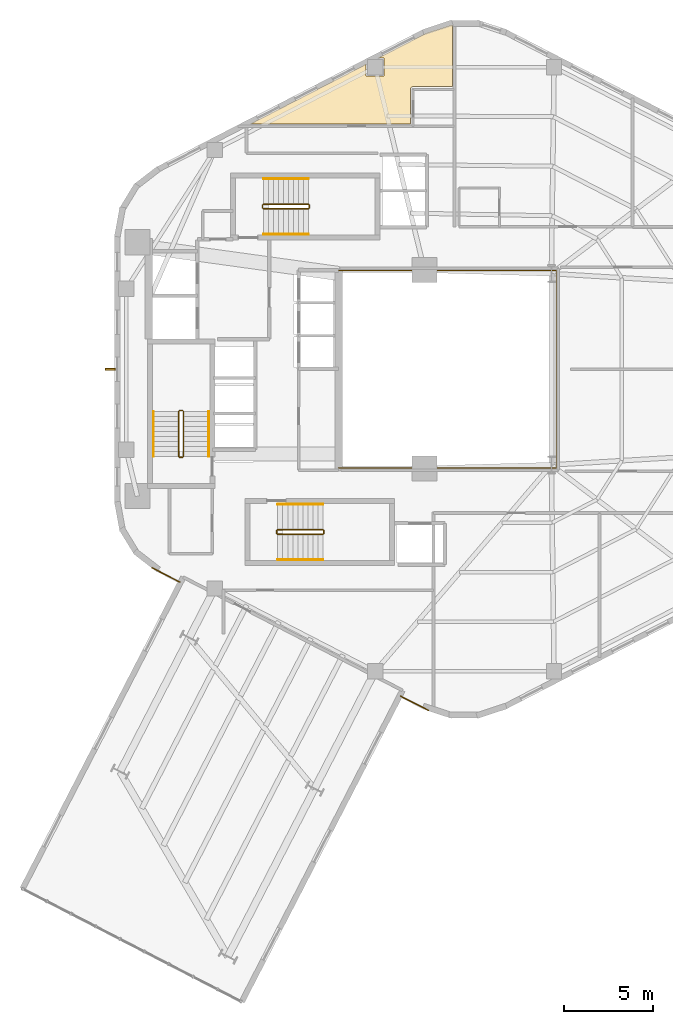
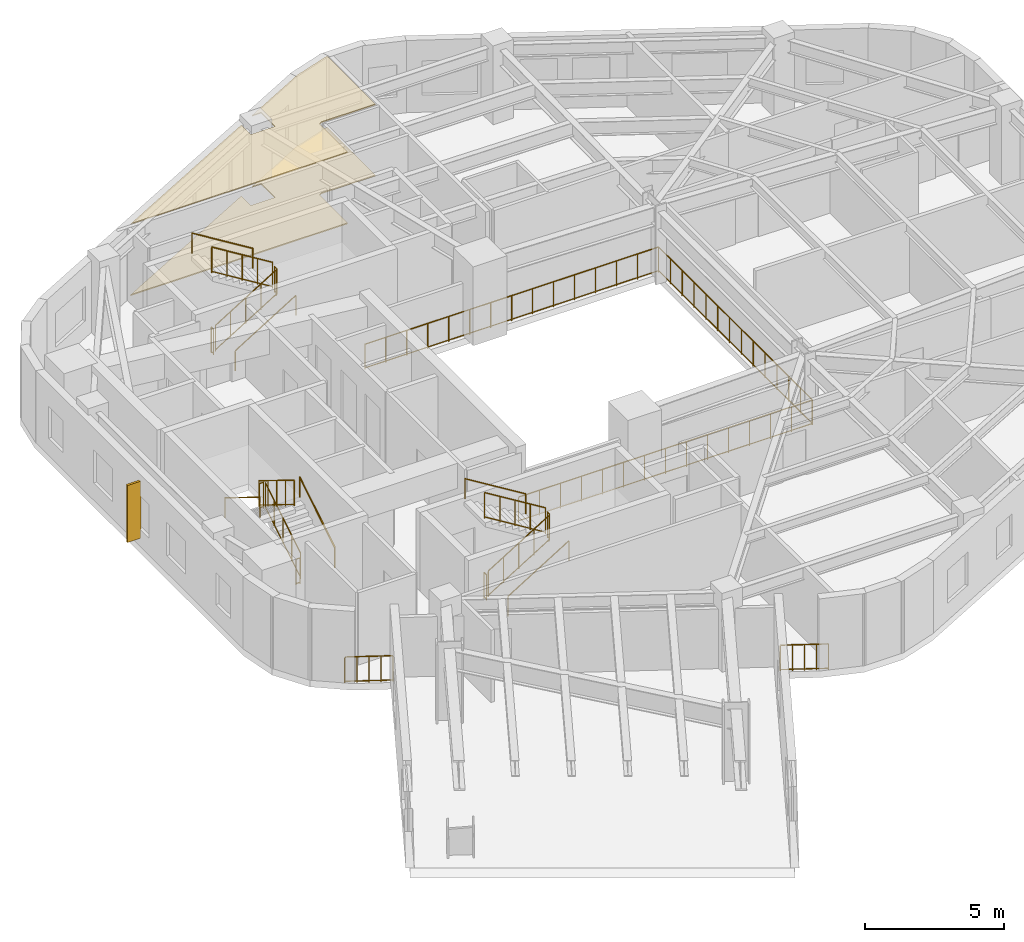
# One storey, part 9 of 9: 21 railings, 2 coverings, 1 shading device.
"""IFC4 building model written with IfcOpenShell, lengths in metres."""

from ifc_helpers import new_model, si_unit, direction, frame, origin, origin_2d, place, context, subcontext, project, spatial, polyline, rectangle, circle, outline, extrude, material, layer, layer_set, type_object, element, save


model = new_model("IFC4")

# Units and contexts
model_context = context("Model", 3, precision=1e-05, world=origin(), true_north=direction((0.0, 1.0)))
body_context = subcontext(model_context, "Body", "Model", "MODEL_VIEW")
ifc_project = project(units=[si_unit("LENGTHUNIT", "METRE"), si_unit("AREAUNIT", "SQUARE_METRE"), si_unit("VOLUMEUNIT", "CUBIC_METRE"), si_unit("PLANEANGLEUNIT", "RADIAN"), si_unit("MASSUNIT", "GRAM", prefix="KILO"), si_unit("THERMODYNAMICTEMPERATUREUNIT", "KELVIN"), si_unit("POWERUNIT", "WATT")], contexts=[model_context])

# Site, building, storey
site_placement = place(None, origin())
site = spatial("IfcSite", under=ifc_project, at=site_placement, CompositionType="ELEMENT")
building_placement = place(site_placement, origin())
building = spatial("IfcBuilding", under=site, at=building_placement, Name="Skarre Station Tower", CompositionType="ELEMENT")
storey_placement = place(building_placement, frame((0.0, 0.0, 177.449951171875)))
storey = spatial("IfcBuildingStorey", under=building, at=storey_placement, Name="L48", CompositionType="ELEMENT", Elevation=177.449951171875)

# Railing
ifc_material_1 = material(Name="Bronze Anodized Steel & Laminated Glass Balustrade", Category="steel")
railing_type_1 = type_object("IfcRailingType", Name="Atrium Void & Mezzanine Guard Balustrade 1120", PredefinedType="GUARDRAIL", material=ifc_material_1)
railing_1_placement = place(storey_placement, frame((27.550048828125, 18.47998046875, 0.0)))
element("IfcRailing", 1, at=railing_1_placement, inside=storey, type_object=railing_type_1, Name="L48 Atrium Void Guard Balustrade", PredefinedType="GUARDRAIL", context=body_context, shape_type="SweptSolid", body=[
    extrude(circle(Radius=0.02392578125, at=origin_2d()), frame((0.0, 0.0, 1.09619140625), z_axis=(1.0, 0.0, 0.0), x_axis=(0.0, 1.0, 0.0)), (0.0, 0.0, 1.0), 12.169921875),
    extrude(circle(Radius=0.02099609375, at=origin_2d()), frame((0.0, 0.0, 0.06005859375), z_axis=(1.0, 0.0, 0.0), x_axis=(0.0, 1.0, 0.0)), (0.0, 0.0, 1.0), 12.169921875),
    extrude(circle(Radius=0.02392578125, at=origin_2d()), frame((12.169921875, 0.0, 1.09619140625), z_axis=(0.0, 1.0, 0.0), x_axis=(-1.0, 0.0, 0.0)), (0.0, 0.0, 1.0), 11.0400390625),
    extrude(circle(Radius=0.02099609375, at=origin_2d()), frame((12.169921875, 0.0, 0.06005859375), z_axis=(0.0, 1.0, 0.0), x_axis=(-1.0, 0.0, 0.0)), (0.0, 0.0, 1.0), 11.0400390625),
    extrude(circle(Radius=0.02392578125, at=origin_2d()), frame((12.169921875, 11.0400390625, 1.09619140625), z_axis=(-1.0, 0.0, 0.0), x_axis=(0.0, -1.0, 0.0)), (0.0, 0.0, 1.0), 12.169921875),
    extrude(circle(Radius=0.02099609375, at=origin_2d()), frame((12.169921875, 11.0400390625, 0.06005859375), z_axis=(-1.0, 0.0, 0.0), x_axis=(0.0, -1.0, 0.0)), (0.0, 0.0, 1.0), 12.169921875),
    extrude(circle(Radius=0.02099609375, at=origin_2d()), origin(), (0.0, 0.0, 1.0), 1.072021484375),
    extrude(circle(Radius=0.02099609375, at=origin_2d()), frame((0.869384765625, 0.0, 0.0)), (0.0, 0.0, 1.0), 1.072021484375),
    extrude(circle(Radius=0.02099609375, at=origin_2d()), frame((1.738525390625, 0.0, 0.0)), (0.0, 0.0, 1.0), 1.072021484375),
    extrude(circle(Radius=0.02099609375, at=origin_2d()), frame((2.60791015625, 0.0, 0.0)), (0.0, 0.0, 1.0), 1.072021484375),
    extrude(circle(Radius=0.02099609375, at=origin_2d()), frame((3.47705078125, 0.0, 0.0)), (0.0, 0.0, 1.0), 1.072021484375),
    extrude(circle(Radius=0.02099609375, at=origin_2d()), frame((4.346435546875, 0.0, 0.0)), (0.0, 0.0, 1.0), 1.072021484375),
    extrude(circle(Radius=0.02099609375, at=origin_2d()), frame((5.215576171875, 0.0, 0.0)), (0.0, 0.0, 1.0), 1.072021484375),
    extrude(circle(Radius=0.02099609375, at=origin_2d()), frame((6.0849609375, 0.0, 0.0)), (0.0, 0.0, 1.0), 1.072021484375),
    extrude(circle(Radius=0.02099609375, at=origin_2d()), frame((6.954345703125, 0.0, 0.0)), (0.0, 0.0, 1.0), 1.072021484375),
    extrude(circle(Radius=0.02099609375, at=origin_2d()), frame((7.823486328125, 0.0, 0.0)), (0.0, 0.0, 1.0), 1.072021484375),
    extrude(circle(Radius=0.02099609375, at=origin_2d()), frame((8.69287109375, 0.0, 0.0)), (0.0, 0.0, 1.0), 1.072021484375),
    extrude(circle(Radius=0.02099609375, at=origin_2d()), frame((9.56201171875, 0.0, 0.0)), (0.0, 0.0, 1.0), 1.072021484375),
    extrude(circle(Radius=0.02099609375, at=origin_2d()), frame((10.431396484375, 0.0, 0.0)), (0.0, 0.0, 1.0), 1.072021484375),
    extrude(circle(Radius=0.02099609375, at=origin_2d()), frame((11.300537109375, 0.0, 0.0)), (0.0, 0.0, 1.0), 1.072021484375),
    extrude(circle(Radius=0.02099609375, at=origin_2d()), frame((12.169921875, 0.0, 0.0)), (0.0, 0.0, 1.0), 1.072021484375),
    extrude(circle(Radius=0.02099609375, at=origin_2d()), frame((12.169921875, 0.84912109375, 0.0)), (0.0, 0.0, 1.0), 1.072021484375),
    extrude(circle(Radius=0.02099609375, at=origin_2d()), frame((12.169921875, 1.698486328125, 0.0)), (0.0, 0.0, 1.0), 1.072021484375),
    extrude(circle(Radius=0.02099609375, at=origin_2d()), frame((12.169921875, 2.547607421875, 0.0)), (0.0, 0.0, 1.0), 1.072021484375),
    extrude(circle(Radius=0.02099609375, at=origin_2d()), frame((12.169921875, 3.39697265625, 0.0)), (0.0, 0.0, 1.0), 1.072021484375),
    extrude(circle(Radius=0.02099609375, at=origin_2d()), frame((12.169921875, 4.24609375, 0.0)), (0.0, 0.0, 1.0), 1.072021484375),
    extrude(circle(Radius=0.02099609375, at=origin_2d()), frame((12.169921875, 5.095458984375, 0.0)), (0.0, 0.0, 1.0), 1.072021484375),
    extrude(circle(Radius=0.02099609375, at=origin_2d()), frame((12.169921875, 5.944580078125, 0.0)), (0.0, 0.0, 1.0), 1.072021484375),
    extrude(circle(Radius=0.02099609375, at=origin_2d()), frame((12.169921875, 6.7939453125, 0.0)), (0.0, 0.0, 1.0), 1.072021484375),
    extrude(circle(Radius=0.02099609375, at=origin_2d()), frame((12.169921875, 7.64306640625, 0.0)), (0.0, 0.0, 1.0), 1.072021484375),
    extrude(circle(Radius=0.02099609375, at=origin_2d()), frame((12.169921875, 8.492431640625, 0.0)), (0.0, 0.0, 1.0), 1.072021484375),
    extrude(circle(Radius=0.02099609375, at=origin_2d()), frame((12.169921875, 9.341552734375, 0.0)), (0.0, 0.0, 1.0), 1.072021484375),
    extrude(circle(Radius=0.02099609375, at=origin_2d()), frame((12.169921875, 10.19091796875, 0.0)), (0.0, 0.0, 1.0), 1.072021484375),
    extrude(circle(Radius=0.02099609375, at=origin_2d()), frame((12.169921875, 11.0400390625, 0.0)), (0.0, 0.0, 1.0), 1.072021484375),
    extrude(circle(Radius=0.02099609375, at=origin_2d()), frame((11.300537109375, 11.0400390625, 0.0)), (0.0, 0.0, 1.0), 1.072021484375),
    extrude(circle(Radius=0.02099609375, at=origin_2d()), frame((10.431396484375, 11.0400390625, 0.0)), (0.0, 0.0, 1.0), 1.072021484375),
    extrude(circle(Radius=0.02099609375, at=origin_2d()), frame((9.56201171875, 11.0400390625, 0.0)), (0.0, 0.0, 1.0), 1.072021484375),
    extrude(circle(Radius=0.02099609375, at=origin_2d()), frame((8.69287109375, 11.0400390625, 0.0)), (0.0, 0.0, 1.0), 1.072021484375),
    extrude(circle(Radius=0.02099609375, at=origin_2d()), frame((7.823486328125, 11.0400390625, 0.0)), (0.0, 0.0, 1.0), 1.072021484375),
    extrude(circle(Radius=0.02099609375, at=origin_2d()), frame((6.954345703125, 11.0400390625, 0.0)), (0.0, 0.0, 1.0), 1.072021484375),
    extrude(circle(Radius=0.02099609375, at=origin_2d()), frame((6.0849609375, 11.0400390625, 0.0)), (0.0, 0.0, 1.0), 1.072021484375),
    extrude(circle(Radius=0.02099609375, at=origin_2d()), frame((5.215576171875, 11.0400390625, 0.0)), (0.0, 0.0, 1.0), 1.072021484375),
    extrude(circle(Radius=0.02099609375, at=origin_2d()), frame((4.346435546875, 11.0400390625, 0.0)), (0.0, 0.0, 1.0), 1.072021484375),
    extrude(circle(Radius=0.02099609375, at=origin_2d()), frame((3.47705078125, 11.0400390625, 0.0)), (0.0, 0.0, 1.0), 1.072021484375),
    extrude(circle(Radius=0.02099609375, at=origin_2d()), frame((2.60791015625, 11.0400390625, 0.0)), (0.0, 0.0, 1.0), 1.072021484375),
    extrude(circle(Radius=0.02099609375, at=origin_2d()), frame((1.738525390625, 11.0400390625, 0.0)), (0.0, 0.0, 1.0), 1.072021484375),
    extrude(circle(Radius=0.02099609375, at=origin_2d()), frame((0.869384765625, 11.0400390625, 0.0)), (0.0, 0.0, 1.0), 1.072021484375),
    extrude(circle(Radius=0.02099609375, at=origin_2d()), frame((0.0, 11.0400390625, 0.0)), (0.0, 0.0, 1.0), 1.072021484375),
])

# Covering
ifc_material_2 = material(Name="Honed Jura Limestone & Calcium-Sulfate Access Tile", Category="masonry")
ifc_layer_1 = layer(ifc_material_2, 0.050048828125, Name="Honed Jura Limestone & Calcium-Sulfate Access Tile")
ifc_layer_set_1 = layer_set([ifc_layer_1], Name="Honed Jura Limestone & Calcium-Sulfate Access Tile")
covering_type_1 = type_object("IfcCoveringType", Name="Honed Limestone & Raised Access Floor Finish 50", PredefinedType="FLOORING", material=ifc_layer_set_1)
covering_1_placement = place(storey_placement, origin())
element("IfcCovering", 2, at=covering_1_placement, inside=storey, type_object=covering_type_1, Name="L48 Limestone Access Flooring 1", PredefinedType="FLOORING", context=body_context, shape_type="SweptSolid", body=[
    extrude(outline(polyline([(33.919921875, 39.800048828125), (33.919921875, 43.24609375), (33.845947265625, 43.24609375), (32.39208984375, 42.76806640625), (29.72705078125, 41.39306640625), (30.10302734375, 41.39306640625), (30.10302734375, 40.383056640625), (29.093017578125, 40.383056640625), (29.093017578125, 41.06591796875), (22.571044921875, 37.699951171875), (31.56005859375, 37.699951171875), (31.56005859375, 39.639892578125), (31.56005859375, 39.64404296875), (31.56005859375, 39.652099609375), (31.56103515625, 39.659912109375), (31.56201171875, 39.6669921875), (31.56396484375, 39.675048828125), (31.56591796875, 39.68310546875), (31.568115234375, 39.68994140625), (31.571044921875, 39.697998046875), (31.573974609375, 39.705078125), (31.576904296875, 39.7119140625), (31.5810546875, 39.718994140625), (31.5849609375, 39.72607421875), (31.589111328125, 39.73193359375), (31.593994140625, 39.738037109375), (31.59912109375, 39.743896484375), (31.60400390625, 39.75), (31.610107421875, 39.756103515625), (31.615966796875, 39.760986328125), (31.6220703125, 39.76611328125), (31.6279296875, 39.77099609375), (31.634033203125, 39.77490234375), (31.64111328125, 39.779052734375), (31.64794921875, 39.782958984375), (31.655029296875, 39.785888671875), (31.662109375, 39.7890625), (31.669921875, 39.7919921875), (31.677001953125, 39.7939453125), (31.68505859375, 39.7958984375), (31.693115234375, 39.798095703125), (31.699951171875, 39.799072265625), (31.7080078125, 39.800048828125), (31.716064453125, 39.800048828125), (31.719970703125, 39.800048828125), (33.919921875, 39.800048828125)])), origin(), (0.0, 0.0, 1.0), 0.050048828125),
])

# Railings
ifc_material_3 = material(Name="Stainless Steel Grade 316L & Laminated Safety Glass", Category="steel")
railing_type_2 = type_object("IfcRailingType", Name="Laminated Glass & Stainless Terrace Guardrail 1150", PredefinedType="BALUSTRADE", material=ifc_material_3)
for number, where, name in (
    (3, (18.666015625, 12.10205078125, 0.0), "L48 SB-4 Shoulder Ledge Guardrail 1"),
    (4, (32.56689453125, 4.927001953125, 0.0), "L48 SB-4 Shoulder Ledge Guardrail 2"),
):
    element("IfcRailing", number, at=place(storey_placement, frame(where)), inside=storey, type_object=railing_type_2, Name=name, PredefinedType="BALUSTRADE", context=body_context, shape_type="SweptSolid", body=[
        extrude(circle(Radius=0.02392578125, at=origin_2d()), frame((0.0, 0.0, 1.1259765625), z_axis=(-0.888724295859, 0.458442063897, 0.0), x_axis=(-0.458442063897, -0.888724295859, 0.0)), (0.0, 0.0, 1.0), 1.73388671875),
        extrude(circle(Radius=0.02099609375, at=origin_2d()), frame((0.0, 0.0, 0.06005859375), z_axis=(-0.888724295859, 0.458442063897, 0.0), x_axis=(-0.458442063897, -0.888724295859, 0.0)), (0.0, 0.0, 1.0), 1.73388671875),
        extrude(circle(Radius=0.02099609375, at=origin_2d()), origin(), (0.0, 0.0, 1.0), 1.101806640625),
        extrude(circle(Radius=0.02099609375, at=origin_2d()), frame((-0.38525390625, 0.19873046875, 0.0)), (0.0, 0.0, 1.0), 1.101806640625),
        extrude(circle(Radius=0.02099609375, at=origin_2d()), frame((-0.7705078125, 0.3974609375, 0.0)), (0.0, 0.0, 1.0), 1.101806640625),
        extrude(circle(Radius=0.02099609375, at=origin_2d()), frame((-1.15576171875, 0.59619140625, 0.0)), (0.0, 0.0, 1.0), 1.101806640625),
        extrude(circle(Radius=0.02099609375, at=origin_2d()), frame((-1.541015625, 0.794921875, 0.0)), (0.0, 0.0, 1.0), 1.101806640625),
    ])

# Covering
ifc_material_4 = material(Name="Perforated Nordic Birch Veneer & Mineral Wool", Category="wood")
ifc_layer_2 = layer(ifc_material_4, 0.044921875, Name="Perforated Nordic Birch Veneer & Mineral Wool")
ifc_layer_set_2 = layer_set([ifc_layer_2], Name="Perforated Nordic Birch Veneer & Mineral Wool")
covering_type_2 = type_object("IfcCoveringType", Name="Nordic Birch Slatted Acoustic Suspended Ceiling 45", PredefinedType="CEILING", material=ifc_layer_set_2)
covering_2_placement = place(storey_placement, frame((0.0, 0.0, 3.114990234375)))
element("IfcCovering", 5, at=covering_2_placement, inside=storey, type_object=covering_type_2, Name="L48 Acoustic Birch Ceiling 1", PredefinedType="CEILING", context=body_context, shape_type="SweptSolid", body=[
    extrude(outline(polyline([(33.919921875, 39.800048828125), (33.919921875, 43.24609375), (33.845947265625, 43.24609375), (32.39208984375, 42.76806640625), (29.72705078125, 41.39306640625), (30.10302734375, 41.39306640625), (30.10302734375, 40.383056640625), (29.093017578125, 40.383056640625), (29.093017578125, 41.06591796875), (22.571044921875, 37.699951171875), (31.56005859375, 37.699951171875), (31.56005859375, 39.639892578125), (31.56005859375, 39.64404296875), (31.56005859375, 39.652099609375), (31.56103515625, 39.659912109375), (31.56201171875, 39.6669921875), (31.56396484375, 39.675048828125), (31.56591796875, 39.68310546875), (31.568115234375, 39.68994140625), (31.571044921875, 39.697998046875), (31.573974609375, 39.705078125), (31.576904296875, 39.7119140625), (31.5810546875, 39.718994140625), (31.5849609375, 39.72607421875), (31.589111328125, 39.73193359375), (31.593994140625, 39.738037109375), (31.59912109375, 39.743896484375), (31.60400390625, 39.75), (31.610107421875, 39.756103515625), (31.615966796875, 39.760986328125), (31.6220703125, 39.76611328125), (31.6279296875, 39.77099609375), (31.634033203125, 39.77490234375), (31.64111328125, 39.779052734375), (31.64794921875, 39.782958984375), (31.655029296875, 39.785888671875), (31.662109375, 39.7890625), (31.669921875, 39.7919921875), (31.677001953125, 39.7939453125), (31.68505859375, 39.7958984375), (31.693115234375, 39.798095703125), (31.699951171875, 39.799072265625), (31.7080078125, 39.800048828125), (31.716064453125, 39.800048828125), (31.719970703125, 39.800048828125), (33.919921875, 39.800048828125)])), origin(), (0.0, 0.0, 1.0), 0.045166015625),
])

# Shading device
ifc_material_5 = material(Name="Bronze Anodized Extruded Aluminium 6063-T6", Category="aluminium")
shading_device_type = type_object("IfcShadingDeviceType", Name="Nordic Bronze Vertical Solar Fin 550x90", PredefinedType="SHUTTER", material=ifc_material_5)
shading_device_placement = place(storey_placement, frame((14.778076171875, 24.0, 0.35009765625), z_axis=(0.0, 0.0, 1.0), x_axis=(-1.0, 0.0, 0.0)))
element("IfcShadingDevice", 6, at=shading_device_placement, inside=storey, type_object=shading_device_type, Name="L48 Facet 2 Bronze Solar Fin", PredefinedType="SHUTTER", context=body_context, shape_type="SweptSolid", body=[
    extrude(rectangle(XDim=0.550048828125, YDim=0.090087890625, at=origin_2d()), origin(), (0.0, 0.0, 1.0), 2.5),
])

# Railings
ifc_material_6 = material(Name="Powder-Coated Tubular Steel", Category="steel")
railing_type_3 = type_object("IfcRailingType", Name="Painted Steel Ramp & Stair Handrail 920", PredefinedType="HANDRAIL", material=ifc_material_6)
railing_2_placement = place(storey_placement, frame((20.300048828125, 19.1201171875, 0.172607421875)))
element("IfcRailing", 7, at=railing_2_placement, inside=storey, type_object=railing_type_3, Name="L48 ST-1 stair handrail 1", PredefinedType="HANDRAIL", context=body_context, shape_type="SweptSolid", body=[
    extrude(circle(Radius=0.02392578125, at=origin_2d()), frame((0.0, 0.0, 0.8759765625), z_axis=(0.0, 0.851377800117, 0.52455299205), x_axis=(-1.0, 0.0, 0.0)), (0.0, 0.0, 1.0), 2.959716796875),
    extrude(circle(Radius=0.02099609375, at=origin_2d()), origin(), (0.0, 0.0, 1.0), 0.851806640625),
    extrude(circle(Radius=0.02099609375, at=origin_2d()), frame((0.0, 2.519775390625, 1.552490234375)), (0.0, 0.0, 1.0), 0.851806640625),
])
railing_3_placement = place(storey_placement, frame((17.199951171875, 21.639892578125, 1.8974609375)))
element("IfcRailing", 8, at=railing_3_placement, inside=storey, type_object=railing_type_3, Name="L48 ST-1 stair handrail 2", PredefinedType="HANDRAIL", context=body_context, shape_type="SweptSolid", body=[
    extrude(circle(Radius=0.02392578125, at=origin_2d()), frame((0.0, 0.0, 0.8759765625), z_axis=(0.0, -0.851377800117, 0.52455299205), x_axis=(1.0, 0.0, 0.0)), (0.0, 0.0, 1.0), 2.959716796875),
    extrude(circle(Radius=0.02099609375, at=origin_2d()), origin(), (0.0, 0.0, 1.0), 0.851806640625),
    extrude(circle(Radius=0.02099609375, at=origin_2d()), frame((0.0, -2.519775390625, 1.552490234375)), (0.0, 0.0, 1.0), 0.851806640625),
])
railing_4_placement = place(storey_placement, frame((24.14990234375, 13.35009765625, 0.172607421875)))
element("IfcRailing", 9, at=railing_4_placement, inside=storey, type_object=railing_type_3, Name="L48 ST-2 stair handrail 1", PredefinedType="HANDRAIL", context=body_context, shape_type="SweptSolid", body=[
    extrude(circle(Radius=0.02392578125, at=origin_2d()), frame((0.0, 0.0, 0.8759765625), z_axis=(0.851400495292, 0.0, 0.524516154772), x_axis=(0.0, 1.0, 0.0)), (0.0, 0.0, 1.0), 2.9599609375),
    extrude(circle(Radius=0.02099609375, at=origin_2d()), origin(), (0.0, 0.0, 1.0), 0.851806640625),
    extrude(circle(Radius=0.02099609375, at=origin_2d()), frame((2.52001953125, 0.0, 1.552490234375)), (0.0, 0.0, 1.0), 0.851806640625),
])
railing_5_placement = place(storey_placement, frame((26.669921875, 16.449951171875, 1.8974609375)))
element("IfcRailing", 10, at=railing_5_placement, inside=storey, type_object=railing_type_3, Name="L48 ST-2 stair handrail 2", PredefinedType="HANDRAIL", context=body_context, shape_type="SweptSolid", body=[
    extrude(circle(Radius=0.02392578125, at=origin_2d()), frame((0.0, 0.0, 0.8759765625), z_axis=(-0.851400495292, 0.0, 0.524516154772), x_axis=(0.0, -1.0, 0.0)), (0.0, 0.0, 1.0), 2.9599609375),
    extrude(circle(Radius=0.02099609375, at=origin_2d()), origin(), (0.0, 0.0, 1.0), 0.851806640625),
    extrude(circle(Radius=0.02099609375, at=origin_2d()), frame((-2.52001953125, 0.0, 1.552490234375)), (0.0, 0.0, 1.0), 0.851806640625),
])
railing_6_placement = place(storey_placement, frame((23.35009765625, 31.550048828125, 0.172607421875)))
element("IfcRailing", 11, at=railing_6_placement, inside=storey, type_object=railing_type_3, Name="L48 ST-3 stair handrail 1", PredefinedType="HANDRAIL", context=body_context, shape_type="SweptSolid", body=[
    extrude(circle(Radius=0.02392578125, at=origin_2d()), frame((0.0, 0.0, 0.8759765625), z_axis=(0.851400495292, 0.0, 0.524516154772), x_axis=(0.0, 1.0, 0.0)), (0.0, 0.0, 1.0), 2.9599609375),
    extrude(circle(Radius=0.02099609375, at=origin_2d()), origin(), (0.0, 0.0, 1.0), 0.851806640625),
    extrude(circle(Radius=0.02099609375, at=origin_2d()), frame((2.52001953125, 0.0, 1.552490234375)), (0.0, 0.0, 1.0), 0.851806640625),
])
railing_7_placement = place(storey_placement, frame((25.8701171875, 34.64990234375, 1.8974609375)))
element("IfcRailing", 12, at=railing_7_placement, inside=storey, type_object=railing_type_3, Name="L48 ST-3 stair handrail 2", PredefinedType="HANDRAIL", context=body_context, shape_type="SweptSolid", body=[
    extrude(circle(Radius=0.02392578125, at=origin_2d()), frame((0.0, 0.0, 0.8759765625), z_axis=(-0.851400495292, 0.0, 0.524516154772), x_axis=(0.0, -1.0, 0.0)), (0.0, 0.0, 1.0), 2.9599609375),
    extrude(circle(Radius=0.02099609375, at=origin_2d()), origin(), (0.0, 0.0, 1.0), 0.851806640625),
    extrude(circle(Radius=0.02099609375, at=origin_2d()), frame((-2.52001953125, 0.0, 1.552490234375)), (0.0, 0.0, 1.0), 0.851806640625),
])
railing_type_4 = type_object("IfcRailingType", Name="Painted Steel Stairwell Guardrail 1100", PredefinedType="GUARDRAIL", material=ifc_material_6)
railing_8_placement = place(storey_placement, frame((18.8798828125, 19.1201171875, 0.172607421875)))
element("IfcRailing", 13, at=railing_8_placement, inside=storey, type_object=railing_type_4, Name="L48 ST-1 stair guard 1", PredefinedType="GUARDRAIL", context=body_context, shape_type="SweptSolid", body=[
    extrude(circle(Radius=0.02392578125, at=origin_2d()), frame((0.0, 0.0, 1.1259765625), z_axis=(0.0, 0.851377800117, 0.52455299205), x_axis=(-1.0, 0.0, 0.0)), (0.0, 0.0, 1.0), 2.959716796875),
    extrude(circle(Radius=0.02099609375, at=origin_2d()), frame((0.0, 0.0, 0.06005859375), z_axis=(0.0, 0.851377800117, 0.52455299205), x_axis=(-1.0, 0.0, 0.0)), (0.0, 0.0, 1.0), 2.959716796875),
    extrude(circle(Radius=0.02099609375, at=origin_2d()), origin(), (0.0, 0.0, 1.0), 1.101806640625),
    extrude(circle(Radius=0.02099609375, at=origin_2d()), frame((0.0, 0.6298828125, 0.38818359375)), (0.0, 0.0, 1.0), 1.101806640625),
    extrude(circle(Radius=0.02099609375, at=origin_2d()), frame((0.0, 1.259765625, 0.7763671875)), (0.0, 0.0, 1.0), 1.101806640625),
    extrude(circle(Radius=0.02099609375, at=origin_2d()), frame((0.0, 1.889892578125, 1.164306640625)), (0.0, 0.0, 1.0), 1.101806640625),
    extrude(circle(Radius=0.02099609375, at=origin_2d()), frame((0.0, 2.519775390625, 1.552490234375)), (0.0, 0.0, 1.0), 1.101806640625),
])
railing_9_placement = place(storey_placement, frame((18.830078125, 21.68994140625, 1.72509765625)))
element("IfcRailing", 14, at=railing_9_placement, inside=storey, type_object=railing_type_4, Name="L48 ST-1 stair guard 2", PredefinedType="GUARDRAIL", context=body_context, shape_type="SweptSolid", body=[
    extrude(circle(Radius=0.02392578125, at=origin_2d()), frame((0.0, 0.0, 1.1259765625), z_axis=(-1.0, 0.0, 0.0), x_axis=(0.0, -1.0, 0.0)), (0.0, 0.0, 1.0), 0.16015625),
    extrude(circle(Radius=0.02099609375, at=origin_2d()), frame((0.0, 0.0, 0.06005859375), z_axis=(-1.0, 0.0, 0.0), x_axis=(0.0, -1.0, 0.0)), (0.0, 0.0, 1.0), 0.16015625),
    extrude(circle(Radius=0.02099609375, at=origin_2d()), origin(), (0.0, 0.0, 1.0), 1.101806640625),
    extrude(circle(Radius=0.02099609375, at=origin_2d()), frame((-0.16015625, 0.0, 0.0)), (0.0, 0.0, 1.0), 1.101806640625),
])
railing_10_placement = place(storey_placement, frame((18.6201171875, 21.639892578125, 1.8974609375)))
element("IfcRailing", 15, at=railing_10_placement, inside=storey, type_object=railing_type_4, Name="L48 ST-1 stair guard 3", PredefinedType="GUARDRAIL", context=body_context, shape_type="SweptSolid", body=[
    extrude(circle(Radius=0.02392578125, at=origin_2d()), frame((0.0, 0.0, 1.1259765625), z_axis=(0.0, -0.851377800117, 0.52455299205), x_axis=(1.0, 0.0, 0.0)), (0.0, 0.0, 1.0), 2.959716796875),
    extrude(circle(Radius=0.02099609375, at=origin_2d()), frame((0.0, 0.0, 0.06005859375), z_axis=(0.0, -0.851377800117, 0.52455299205), x_axis=(1.0, 0.0, 0.0)), (0.0, 0.0, 1.0), 2.959716796875),
    extrude(circle(Radius=0.02099609375, at=origin_2d()), origin(), (0.0, 0.0, 1.0), 1.101806640625),
    extrude(circle(Radius=0.02099609375, at=origin_2d()), frame((0.0, -0.6298828125, 0.38818359375)), (0.0, 0.0, 1.0), 1.101806640625),
    extrude(circle(Radius=0.02099609375, at=origin_2d()), frame((0.0, -1.259765625, 0.7763671875)), (0.0, 0.0, 1.0), 1.101806640625),
    extrude(circle(Radius=0.02099609375, at=origin_2d()), frame((0.0, -1.889892578125, 1.164306640625)), (0.0, 0.0, 1.0), 1.101806640625),
    extrude(circle(Radius=0.02099609375, at=origin_2d()), frame((0.0, -2.519775390625, 1.552490234375)), (0.0, 0.0, 1.0), 1.101806640625),
])
railing_11_placement = place(storey_placement, frame((18.830078125, 19.070068359375, 0.0)))
element("IfcRailing", 16, at=railing_11_placement, inside=storey, type_object=railing_type_4, Name="L48 ST-1 stair guard 4", PredefinedType="GUARDRAIL", context=body_context, shape_type="SweptSolid", body=[
    extrude(circle(Radius=0.02392578125, at=origin_2d()), frame((0.0, 0.0, 1.1259765625), z_axis=(-1.0, 0.0, 0.0), x_axis=(0.0, -1.0, 0.0)), (0.0, 0.0, 1.0), 0.16015625),
    extrude(circle(Radius=0.02099609375, at=origin_2d()), frame((0.0, 0.0, 0.06005859375), z_axis=(-1.0, 0.0, 0.0), x_axis=(0.0, -1.0, 0.0)), (0.0, 0.0, 1.0), 0.16015625),
    extrude(circle(Radius=0.02099609375, at=origin_2d()), origin(), (0.0, 0.0, 1.0), 1.101806640625),
    extrude(circle(Radius=0.02099609375, at=origin_2d()), frame((-0.16015625, 0.0, 0.0)), (0.0, 0.0, 1.0), 1.101806640625),
])
railing_12_placement = place(storey_placement, frame((24.14990234375, 14.77001953125, 0.172607421875)))
element("IfcRailing", 17, at=railing_12_placement, inside=storey, type_object=railing_type_4, Name="L48 ST-2 stair guard 1", PredefinedType="GUARDRAIL", context=body_context, shape_type="SweptSolid", body=[
    extrude(circle(Radius=0.02392578125, at=origin_2d()), frame((0.0, 0.0, 1.1259765625), z_axis=(0.851400495292, 0.0, 0.524516154772), x_axis=(0.0, 1.0, 0.0)), (0.0, 0.0, 1.0), 2.9599609375),
    extrude(circle(Radius=0.02099609375, at=origin_2d()), frame((0.0, 0.0, 0.06005859375), z_axis=(0.851400495292, 0.0, 0.524516154772), x_axis=(0.0, 1.0, 0.0)), (0.0, 0.0, 1.0), 2.9599609375),
    extrude(circle(Radius=0.02099609375, at=origin_2d()), origin(), (0.0, 0.0, 1.0), 1.101806640625),
    extrude(circle(Radius=0.02099609375, at=origin_2d()), frame((0.6298828125, 0.0, 0.38818359375)), (0.0, 0.0, 1.0), 1.101806640625),
    extrude(circle(Radius=0.02099609375, at=origin_2d()), frame((1.260009765625, 0.0, 0.7763671875)), (0.0, 0.0, 1.0), 1.101806640625),
    extrude(circle(Radius=0.02099609375, at=origin_2d()), frame((1.89013671875, 0.0, 1.164306640625)), (0.0, 0.0, 1.0), 1.101806640625),
    extrude(circle(Radius=0.02099609375, at=origin_2d()), frame((2.52001953125, 0.0, 1.552490234375)), (0.0, 0.0, 1.0), 1.101806640625),
])
railing_13_placement = place(storey_placement, frame((26.719970703125, 14.820068359375, 1.72509765625)))
element("IfcRailing", 18, at=railing_13_placement, inside=storey, type_object=railing_type_4, Name="L48 ST-2 stair guard 2", PredefinedType="GUARDRAIL", context=body_context, shape_type="SweptSolid", body=[
    extrude(circle(Radius=0.02392578125, at=origin_2d()), frame((0.0, 0.0, 1.1259765625), z_axis=(0.0, 1.0, 0.0), x_axis=(-1.0, 0.0, 0.0)), (0.0, 0.0, 1.0), 0.159912109375),
    extrude(circle(Radius=0.02099609375, at=origin_2d()), frame((0.0, 0.0, 0.06005859375), z_axis=(0.0, 1.0, 0.0), x_axis=(-1.0, 0.0, 0.0)), (0.0, 0.0, 1.0), 0.159912109375),
    extrude(circle(Radius=0.02099609375, at=origin_2d()), origin(), (0.0, 0.0, 1.0), 1.101806640625),
    extrude(circle(Radius=0.02099609375, at=origin_2d()), frame((0.0, 0.159912109375, 0.0)), (0.0, 0.0, 1.0), 1.101806640625),
])
railing_14_placement = place(storey_placement, frame((26.669921875, 15.030029296875, 1.8974609375)))
element("IfcRailing", 19, at=railing_14_placement, inside=storey, type_object=railing_type_4, Name="L48 ST-2 stair guard 3", PredefinedType="GUARDRAIL", context=body_context, shape_type="SweptSolid", body=[
    extrude(circle(Radius=0.02392578125, at=origin_2d()), frame((0.0, 0.0, 1.1259765625), z_axis=(-0.851400495292, 0.0, 0.524516154772), x_axis=(0.0, -1.0, 0.0)), (0.0, 0.0, 1.0), 2.9599609375),
    extrude(circle(Radius=0.02099609375, at=origin_2d()), frame((0.0, 0.0, 0.06005859375), z_axis=(-0.851400495292, 0.0, 0.524516154772), x_axis=(0.0, -1.0, 0.0)), (0.0, 0.0, 1.0), 2.9599609375),
    extrude(circle(Radius=0.02099609375, at=origin_2d()), origin(), (0.0, 0.0, 1.0), 1.101806640625),
    extrude(circle(Radius=0.02099609375, at=origin_2d()), frame((-0.6298828125, 0.0, 0.38818359375)), (0.0, 0.0, 1.0), 1.101806640625),
    extrude(circle(Radius=0.02099609375, at=origin_2d()), frame((-1.260009765625, 0.0, 0.7763671875)), (0.0, 0.0, 1.0), 1.101806640625),
    extrude(circle(Radius=0.02099609375, at=origin_2d()), frame((-1.89013671875, 0.0, 1.164306640625)), (0.0, 0.0, 1.0), 1.101806640625),
    extrude(circle(Radius=0.02099609375, at=origin_2d()), frame((-2.52001953125, 0.0, 1.552490234375)), (0.0, 0.0, 1.0), 1.101806640625),
])
railing_15_placement = place(storey_placement, frame((24.10009765625, 14.820068359375, 0.0)))
element("IfcRailing", 20, at=railing_15_placement, inside=storey, type_object=railing_type_4, Name="L48 ST-2 stair guard 4", PredefinedType="GUARDRAIL", context=body_context, shape_type="SweptSolid", body=[
    extrude(circle(Radius=0.02392578125, at=origin_2d()), frame((0.0, 0.0, 1.1259765625), z_axis=(0.0, 1.0, 0.0), x_axis=(-1.0, 0.0, 0.0)), (0.0, 0.0, 1.0), 0.159912109375),
    extrude(circle(Radius=0.02099609375, at=origin_2d()), frame((0.0, 0.0, 0.06005859375), z_axis=(0.0, 1.0, 0.0), x_axis=(-1.0, 0.0, 0.0)), (0.0, 0.0, 1.0), 0.159912109375),
    extrude(circle(Radius=0.02099609375, at=origin_2d()), origin(), (0.0, 0.0, 1.0), 1.101806640625),
    extrude(circle(Radius=0.02099609375, at=origin_2d()), frame((0.0, 0.159912109375, 0.0)), (0.0, 0.0, 1.0), 1.101806640625),
])
railing_16_placement = place(storey_placement, frame((23.35009765625, 32.969970703125, 0.172607421875)))
element("IfcRailing", 21, at=railing_16_placement, inside=storey, type_object=railing_type_4, Name="L48 ST-3 stair guard 1", PredefinedType="GUARDRAIL", context=body_context, shape_type="SweptSolid", body=[
    extrude(circle(Radius=0.02392578125, at=origin_2d()), frame((0.0, 0.0, 1.1259765625), z_axis=(0.851400495292, 0.0, 0.524516154772), x_axis=(0.0, 1.0, 0.0)), (0.0, 0.0, 1.0), 2.9599609375),
    extrude(circle(Radius=0.02099609375, at=origin_2d()), frame((0.0, 0.0, 0.06005859375), z_axis=(0.851400495292, 0.0, 0.524516154772), x_axis=(0.0, 1.0, 0.0)), (0.0, 0.0, 1.0), 2.9599609375),
    extrude(circle(Radius=0.02099609375, at=origin_2d()), origin(), (0.0, 0.0, 1.0), 1.101806640625),
    extrude(circle(Radius=0.02099609375, at=origin_2d()), frame((0.6298828125, 0.0, 0.38818359375)), (0.0, 0.0, 1.0), 1.101806640625),
    extrude(circle(Radius=0.02099609375, at=origin_2d()), frame((1.260009765625, 0.0, 0.7763671875)), (0.0, 0.0, 1.0), 1.101806640625),
    extrude(circle(Radius=0.02099609375, at=origin_2d()), frame((1.89013671875, 0.0, 1.164306640625)), (0.0, 0.0, 1.0), 1.101806640625),
    extrude(circle(Radius=0.02099609375, at=origin_2d()), frame((2.52001953125, 0.0, 1.552490234375)), (0.0, 0.0, 1.0), 1.101806640625),
])
railing_17_placement = place(storey_placement, frame((25.919921875, 33.02001953125, 1.72509765625)))
element("IfcRailing", 22, at=railing_17_placement, inside=storey, type_object=railing_type_4, Name="L48 ST-3 stair guard 2", PredefinedType="GUARDRAIL", context=body_context, shape_type="SweptSolid", body=[
    extrude(circle(Radius=0.02392578125, at=origin_2d()), frame((0.0, 0.0, 1.1259765625), z_axis=(0.0, 1.0, 0.0), x_axis=(-1.0, 0.0, 0.0)), (0.0, 0.0, 1.0), 0.159912109375),
    extrude(circle(Radius=0.02099609375, at=origin_2d()), frame((0.0, 0.0, 0.06005859375), z_axis=(0.0, 1.0, 0.0), x_axis=(-1.0, 0.0, 0.0)), (0.0, 0.0, 1.0), 0.159912109375),
    extrude(circle(Radius=0.02099609375, at=origin_2d()), origin(), (0.0, 0.0, 1.0), 1.101806640625),
    extrude(circle(Radius=0.02099609375, at=origin_2d()), frame((0.0, 0.159912109375, 0.0)), (0.0, 0.0, 1.0), 1.101806640625),
])
railing_18_placement = place(storey_placement, frame((25.8701171875, 33.22998046875, 1.8974609375)))
element("IfcRailing", 23, at=railing_18_placement, inside=storey, type_object=railing_type_4, Name="L48 ST-3 stair guard 3", PredefinedType="GUARDRAIL", context=body_context, shape_type="SweptSolid", body=[
    extrude(circle(Radius=0.02392578125, at=origin_2d()), frame((0.0, 0.0, 1.1259765625), z_axis=(-0.851400495292, 0.0, 0.524516154772), x_axis=(0.0, -1.0, 0.0)), (0.0, 0.0, 1.0), 2.9599609375),
    extrude(circle(Radius=0.02099609375, at=origin_2d()), frame((0.0, 0.0, 0.06005859375), z_axis=(-0.851400495292, 0.0, 0.524516154772), x_axis=(0.0, -1.0, 0.0)), (0.0, 0.0, 1.0), 2.9599609375),
    extrude(circle(Radius=0.02099609375, at=origin_2d()), origin(), (0.0, 0.0, 1.0), 1.101806640625),
    extrude(circle(Radius=0.02099609375, at=origin_2d()), frame((-0.6298828125, 0.0, 0.38818359375)), (0.0, 0.0, 1.0), 1.101806640625),
    extrude(circle(Radius=0.02099609375, at=origin_2d()), frame((-1.260009765625, 0.0, 0.7763671875)), (0.0, 0.0, 1.0), 1.101806640625),
    extrude(circle(Radius=0.02099609375, at=origin_2d()), frame((-1.89013671875, 0.0, 1.164306640625)), (0.0, 0.0, 1.0), 1.101806640625),
    extrude(circle(Radius=0.02099609375, at=origin_2d()), frame((-2.52001953125, 0.0, 1.552490234375)), (0.0, 0.0, 1.0), 1.101806640625),
])
railing_19_placement = place(storey_placement, frame((23.300048828125, 33.02001953125, 0.0)))
element("IfcRailing", 24, at=railing_19_placement, inside=storey, type_object=railing_type_4, Name="L48 ST-3 stair guard 4", PredefinedType="GUARDRAIL", context=body_context, shape_type="SweptSolid", body=[
    extrude(circle(Radius=0.02392578125, at=origin_2d()), frame((0.0, 0.0, 1.1259765625), z_axis=(0.0, 1.0, 0.0), x_axis=(-1.0, 0.0, 0.0)), (0.0, 0.0, 1.0), 0.159912109375),
    extrude(circle(Radius=0.02099609375, at=origin_2d()), frame((0.0, 0.0, 0.06005859375), z_axis=(0.0, 1.0, 0.0), x_axis=(-1.0, 0.0, 0.0)), (0.0, 0.0, 1.0), 0.159912109375),
    extrude(circle(Radius=0.02099609375, at=origin_2d()), origin(), (0.0, 0.0, 1.0), 1.101806640625),
    extrude(circle(Radius=0.02099609375, at=origin_2d()), frame((0.0, 0.159912109375, 0.0)), (0.0, 0.0, 1.0), 1.101806640625),
])

save(model, "model.ifc")
